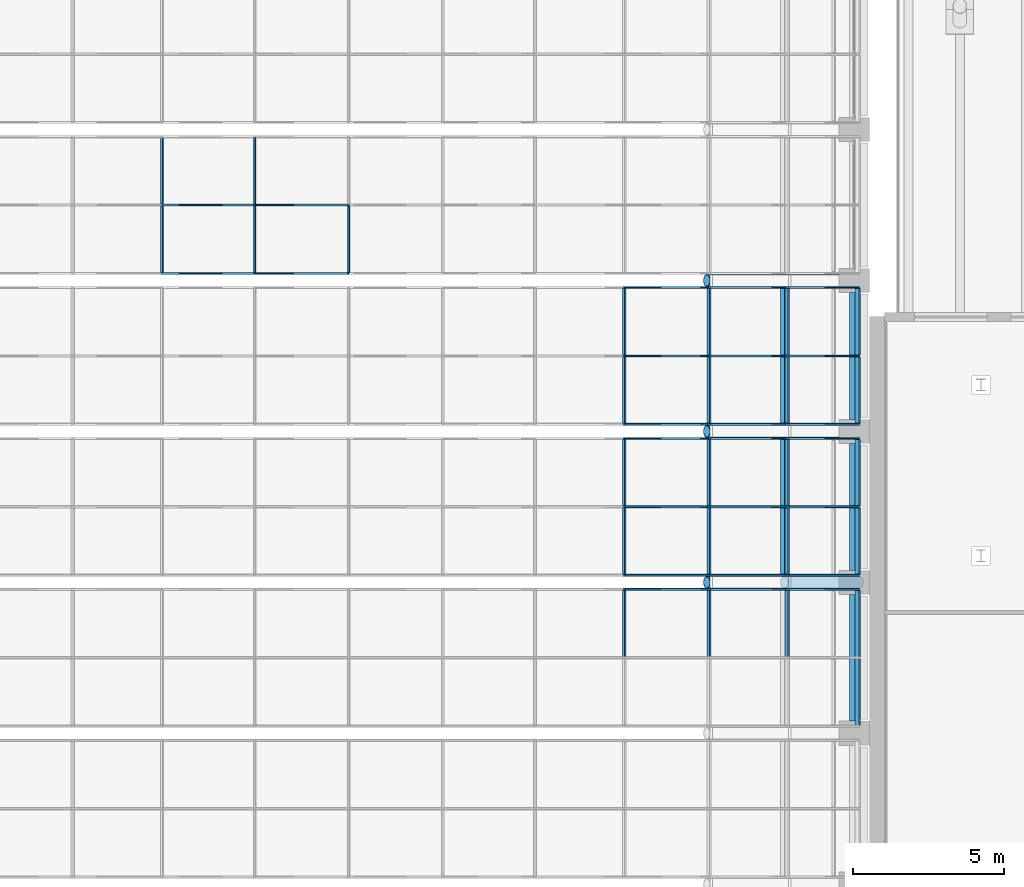
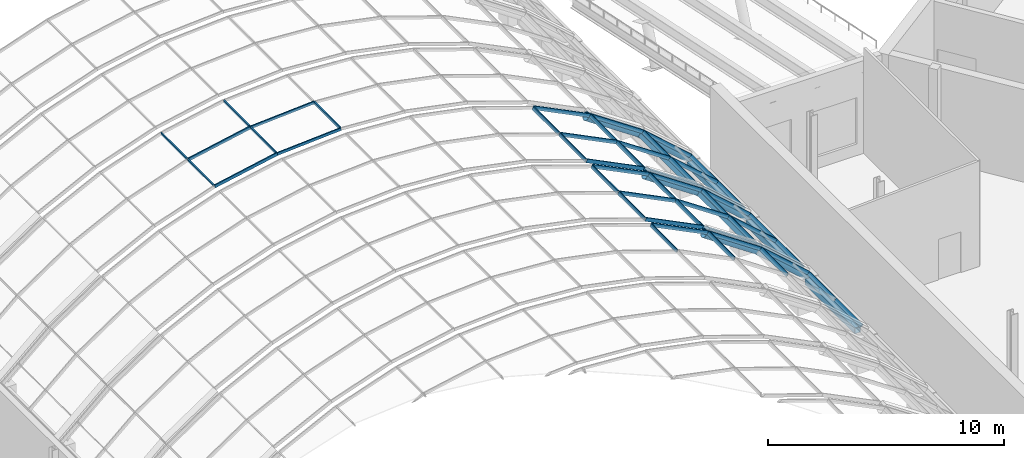
# One storey, part 82 of 182: 59 members, 3 beams, 4 elements without a shape of their own.
"""IFC4 building model written with IfcOpenShell, lengths in metres."""

from ifc_helpers import new_model, si_unit, direction, frame, origin, origin_2d, place, context, subcontext, project, spatial, rectangle, hollow_rectangle, hollow_circle, extrude, material, material_profile, profile_set, type_object, element, aggregate, save


model = new_model("IFC4")

# Units and contexts
model_context = context("Model", 3, precision=1e-05, world=origin(), true_north=direction((0.0, 1.0)))
body_context = subcontext(model_context, "Body", "Model", "MODEL_VIEW")
ifc_project = project(units=[si_unit("LENGTHUNIT", "METRE"), si_unit("AREAUNIT", "SQUARE_METRE"), si_unit("VOLUMEUNIT", "CUBIC_METRE"), si_unit("PLANEANGLEUNIT", "RADIAN"), si_unit("MASSUNIT", "GRAM", prefix="KILO")], contexts=[model_context])

# Site, building, storey
site_placement = place(None, origin())
site = spatial("IfcSite", under=ifc_project, at=site_placement, CompositionType="ELEMENT")
building_placement = place(site_placement, origin())
building = spatial("IfcBuilding", under=site, at=building_placement, Name="Okhra Congress Centre", CompositionType="ELEMENT")
storey_placement = place(building_placement, frame((0.0, 0.0, 7.199951171875)))
storey = spatial("IfcBuildingStorey", under=building, at=storey_placement, Name="L01", CompositionType="ELEMENT", Elevation=7.199951171875)

# Curtain wall, members
ifc_material_1 = material(Name="Aluminium frame with triple glazing", Category="aluminium")
curtain_wall_type = type_object("IfcCurtainWallType", Name="Glazed vault bay curtain wall", PredefinedType="NOTDEFINED", material=ifc_material_1)
curtain_wall_1_placement = place(storey_placement, origin())
curtain_wall_1 = element("IfcCurtainWall", 1, at=curtain_wall_1_placement, inside=storey, type_object=curtain_wall_type, Name="Vault glazing bay 26", PredefinedType="NOTDEFINED")
ifc_material_2 = material(Name="Aluminium alloy 6063", Category="aluminium")
ifc_material_profile_1 = material_profile(ifc_material_2, rectangle(XDim=0.06005859375, YDim=0.139892578125, at=origin_2d()), Name="AL 60x140")
ifc_profile_set_1 = profile_set([ifc_material_profile_1], Name="Aluminium alloy 6063")
member_type_1 = type_object("IfcMemberType", Name="Aluminium mullion 60x140", PredefinedType="MULLION", material=ifc_profile_set_1)
member_1_placement = place(storey_placement, frame((169.1337890625, 201.233154296875, 8.7392578125), z_axis=(0.997826129775, 0.0, 0.065901553385), x_axis=(0.0, 1.0, 0.0)))
member_1 = element("IfcMember", 2, at=member_1_placement, type_object=member_type_1, Name="Vault mullion 26.1.6", PredefinedType="MULLION", context=body_context, shape_type="SweptSolid", body=[
    extrude(rectangle(XDim=0.06005859375, YDim=0.139892578125, at=origin_2d()), origin(), (0.0, 0.0, 1.0), 3.123046875),
])
member_2_placement = place(storey_placement, frame((169.1337890625, 203.5, 8.7392578125), z_axis=(0.997826129775, 0.0, 0.065901553385), x_axis=(0.0, 1.0, 0.0)))
member_2 = element("IfcMember", 3, at=member_2_placement, type_object=member_type_1, Name="Vault mullion 26.2.6", PredefinedType="MULLION", context=body_context, shape_type="SweptSolid", body=[
    extrude(rectangle(XDim=0.06005859375, YDim=0.139892578125, at=origin_2d()), origin(), (0.0, 0.0, 1.0), 3.123046875),
])
ifc_material_profile_2 = material_profile(ifc_material_2, rectangle(XDim=0.06005859375, YDim=0.159912109375, at=origin_2d()), Name="AL 60x160")
ifc_profile_set_2 = profile_set([ifc_material_profile_2], Name="Aluminium alloy 6063")
member_type_2 = type_object("IfcMemberType", Name="Aluminium mullion 60x160", PredefinedType="MULLION", material=ifc_profile_set_2)
member_3_placement = place(storey_placement, frame((166.069091796875, 201.233154296875, 8.134765625), z_axis=(0.980484387086, 0.0, 0.196596965087), x_axis=(0.0, 1.0, 0.0)))
member_3 = element("IfcMember", 4, at=member_3_placement, type_object=member_type_2, Name="Vault mullion 26.1.5", PredefinedType="MULLION", context=body_context, shape_type="SweptSolid", body=[
    extrude(rectangle(XDim=0.06005859375, YDim=0.159912109375, at=origin_2d()), origin(), (0.0, 0.0, 1.0), 3.12451171875),
])
member_4_placement = place(storey_placement, frame((166.069091796875, 203.5, 8.134765625), z_axis=(0.980484387086, 0.0, 0.196596965087), x_axis=(0.0, 1.0, 0.0)))
member_4 = element("IfcMember", 5, at=member_4_placement, type_object=member_type_2, Name="Vault mullion 26.2.5", PredefinedType="MULLION", context=body_context, shape_type="SweptSolid", body=[
    extrude(rectangle(XDim=0.06005859375, YDim=0.159912109375, at=origin_2d()), origin(), (0.0, 0.0, 1.0), 3.12451171875),
])

curtain_wall_2_placement = place(storey_placement, origin())
curtain_wall_2 = element("IfcCurtainWall", 6, at=curtain_wall_2_placement, inside=storey, type_object=curtain_wall_type, Name="Vault glazing bay 23", PredefinedType="NOTDEFINED")
ifc_material_profile_3 = material_profile(ifc_material_2, rectangle(XDim=0.06005859375, YDim=0.179931640625, at=origin_2d()), Name="AL 60x180")
ifc_profile_set_3 = profile_set([ifc_material_profile_3], Name="Aluminium alloy 6063")
member_type_3 = type_object("IfcMemberType", Name="Aluminium mullion 60x180", PredefinedType="MULLION", material=ifc_profile_set_3)
member_5_placement = place(storey_placement, frame((181.390625, 190.766845703125, 7.1318359375), z_axis=(0.895253656313, 0.0, -0.445556832354), x_axis=(0.0, 1.0, 0.0)))
member_5 = element("IfcMember", 7, at=member_5_placement, type_object=member_type_3, Name="Vault mullion 23.3.10", PredefinedType="MULLION", context=body_context, shape_type="SweptSolid", body=[
    extrude(rectangle(XDim=0.06005859375, YDim=0.179931640625, at=origin_2d()), origin(), (0.0, 0.0, 1.0), 3.12548828125),
])
member_6_placement = place(storey_placement, frame((184.188720703125, 190.766845703125, 5.7392578125), z_axis=(0.828827846338, 0.0, -0.559503709671), x_axis=(0.0, 1.0, 0.0)))
member_6 = element("IfcMember", 8, at=member_6_placement, type_object=member_type_3, Name="Vault mullion 23.3.11", PredefinedType="MULLION", context=body_context, shape_type="SweptSolid", body=[
    extrude(rectangle(XDim=0.06005859375, YDim=0.179931640625, at=origin_2d()), origin(), (0.0, 0.0, 1.0), 3.12548828125),
])
member_7_placement = place(storey_placement, frame((186.779296875, 190.766845703125, 3.990478515625), z_axis=(0.748025229923, 0.0, -0.663670291183), x_axis=(0.0, 1.0, 0.0)))
member_7 = element("IfcMember", 9, at=member_7_placement, type_object=member_type_3, Name="Vault mullion 23.3.12", PredefinedType="MULLION", context=body_context, shape_type="SweptSolid", body=[
    extrude(rectangle(XDim=0.06005859375, YDim=0.179931640625, at=origin_2d()), origin(), (0.0, 0.0, 1.0), 3.125732421875),
])

curtain_wall_3_placement = place(storey_placement, origin())
curtain_wall_3 = element("IfcCurtainWall", 10, at=curtain_wall_3_placement, inside=storey, type_object=curtain_wall_type, Name="Vault glazing bay 24", PredefinedType="NOTDEFINED")
member_8_placement = place(storey_placement, frame((181.390625, 191.233154296875, 7.1318359375), z_axis=(0.895253656313, 0.0, -0.445556832354), x_axis=(0.0, 1.0, 0.0)))
member_8 = element("IfcMember", 11, at=member_8_placement, type_object=member_type_3, Name="Vault mullion 24.1.10", PredefinedType="MULLION", context=body_context, shape_type="SweptSolid", body=[
    extrude(rectangle(XDim=0.06005859375, YDim=0.179931640625, at=origin_2d()), origin(), (0.0, 0.0, 1.0), 3.12548828125),
])
member_9_placement = place(storey_placement, frame((184.188720703125, 191.233154296875, 5.7392578125), z_axis=(0.828827846338, 0.0, -0.559503709671), x_axis=(0.0, 1.0, 0.0)))
member_9 = element("IfcMember", 12, at=member_9_placement, type_object=member_type_3, Name="Vault mullion 24.1.11", PredefinedType="MULLION", context=body_context, shape_type="SweptSolid", body=[
    extrude(rectangle(XDim=0.06005859375, YDim=0.179931640625, at=origin_2d()), origin(), (0.0, 0.0, 1.0), 3.12548828125),
])
member_10_placement = place(storey_placement, frame((186.779296875, 191.233154296875, 3.990478515625), z_axis=(0.748025229923, 0.0, -0.663670291183), x_axis=(0.0, 1.0, 0.0)))
member_10 = element("IfcMember", 13, at=member_10_placement, type_object=member_type_3, Name="Vault mullion 24.1.12", PredefinedType="MULLION", context=body_context, shape_type="SweptSolid", body=[
    extrude(rectangle(XDim=0.06005859375, YDim=0.179931640625, at=origin_2d()), origin(), (0.0, 0.0, 1.0), 3.125732421875),
])
member_11_placement = place(storey_placement, frame((181.390625, 193.5, 7.1318359375), z_axis=(0.895253656313, 0.0, -0.445556832354), x_axis=(0.0, 1.0, 0.0)))
member_11 = element("IfcMember", 14, at=member_11_placement, type_object=member_type_3, Name="Vault mullion 24.2.10", PredefinedType="MULLION", context=body_context, shape_type="SweptSolid", body=[
    extrude(rectangle(XDim=0.06005859375, YDim=0.179931640625, at=origin_2d()), origin(), (0.0, 0.0, 1.0), 3.12548828125),
])
member_12_placement = place(storey_placement, frame((184.188720703125, 193.5, 5.7392578125), z_axis=(0.828827846338, 0.0, -0.559503709671), x_axis=(0.0, 1.0, 0.0)))
member_12 = element("IfcMember", 15, at=member_12_placement, type_object=member_type_3, Name="Vault mullion 24.2.11", PredefinedType="MULLION", context=body_context, shape_type="SweptSolid", body=[
    extrude(rectangle(XDim=0.06005859375, YDim=0.179931640625, at=origin_2d()), origin(), (0.0, 0.0, 1.0), 3.12548828125),
])
member_13_placement = place(storey_placement, frame((186.779296875, 193.5, 3.990478515625), z_axis=(0.748025229923, 0.0, -0.663670291183), x_axis=(0.0, 1.0, 0.0)))
member_13 = element("IfcMember", 16, at=member_13_placement, type_object=member_type_3, Name="Vault mullion 24.2.12", PredefinedType="MULLION", context=body_context, shape_type="SweptSolid", body=[
    extrude(rectangle(XDim=0.06005859375, YDim=0.179931640625, at=origin_2d()), origin(), (0.0, 0.0, 1.0), 3.125732421875),
])
member_14_placement = place(storey_placement, frame((181.390625, 195.766845703125, 7.1318359375), z_axis=(0.895253656313, 0.0, -0.445556832354), x_axis=(0.0, 1.0, 0.0)))
member_14 = element("IfcMember", 17, at=member_14_placement, type_object=member_type_3, Name="Vault mullion 24.3.10", PredefinedType="MULLION", context=body_context, shape_type="SweptSolid", body=[
    extrude(rectangle(XDim=0.06005859375, YDim=0.179931640625, at=origin_2d()), origin(), (0.0, 0.0, 1.0), 3.12548828125),
])
member_15_placement = place(storey_placement, frame((184.188720703125, 195.766845703125, 5.7392578125), z_axis=(0.828827846338, 0.0, -0.559503709671), x_axis=(0.0, 1.0, 0.0)))
member_15 = element("IfcMember", 18, at=member_15_placement, type_object=member_type_3, Name="Vault mullion 24.3.11", PredefinedType="MULLION", context=body_context, shape_type="SweptSolid", body=[
    extrude(rectangle(XDim=0.06005859375, YDim=0.179931640625, at=origin_2d()), origin(), (0.0, 0.0, 1.0), 3.12548828125),
])
member_16_placement = place(storey_placement, frame((186.779296875, 195.766845703125, 3.990478515625), z_axis=(0.748025229923, 0.0, -0.663670291183), x_axis=(0.0, 1.0, 0.0)))
member_16 = element("IfcMember", 19, at=member_16_placement, type_object=member_type_3, Name="Vault mullion 24.3.12", PredefinedType="MULLION", context=body_context, shape_type="SweptSolid", body=[
    extrude(rectangle(XDim=0.06005859375, YDim=0.179931640625, at=origin_2d()), origin(), (0.0, 0.0, 1.0), 3.125732421875),
])

curtain_wall_4_placement = place(storey_placement, origin())
curtain_wall_4 = element("IfcCurtainWall", 20, at=curtain_wall_4_placement, inside=storey, type_object=curtain_wall_type, Name="Vault glazing bay 25", PredefinedType="NOTDEFINED")
member_17_placement = place(storey_placement, frame((181.390625, 196.233154296875, 7.1318359375), z_axis=(0.895253656313, 0.0, -0.445556832354), x_axis=(0.0, 1.0, 0.0)))
member_17 = element("IfcMember", 21, at=member_17_placement, type_object=member_type_3, Name="Vault mullion 25.1.10", PredefinedType="MULLION", context=body_context, shape_type="SweptSolid", body=[
    extrude(rectangle(XDim=0.06005859375, YDim=0.179931640625, at=origin_2d()), origin(), (0.0, 0.0, 1.0), 3.12548828125),
])
member_18_placement = place(storey_placement, frame((184.188720703125, 196.233154296875, 5.7392578125), z_axis=(0.828827846338, 0.0, -0.559503709671), x_axis=(0.0, 1.0, 0.0)))
member_18 = element("IfcMember", 22, at=member_18_placement, type_object=member_type_3, Name="Vault mullion 25.1.11", PredefinedType="MULLION", context=body_context, shape_type="SweptSolid", body=[
    extrude(rectangle(XDim=0.06005859375, YDim=0.179931640625, at=origin_2d()), origin(), (0.0, 0.0, 1.0), 3.12548828125),
])
member_19_placement = place(storey_placement, frame((186.779296875, 196.233154296875, 3.990478515625), z_axis=(0.748025229923, 0.0, -0.663670291183), x_axis=(0.0, 1.0, 0.0)))
member_19 = element("IfcMember", 23, at=member_19_placement, type_object=member_type_3, Name="Vault mullion 25.1.12", PredefinedType="MULLION", context=body_context, shape_type="SweptSolid", body=[
    extrude(rectangle(XDim=0.06005859375, YDim=0.179931640625, at=origin_2d()), origin(), (0.0, 0.0, 1.0), 3.125732421875),
])
member_20_placement = place(storey_placement, frame((181.390625, 198.5, 7.1318359375), z_axis=(0.895253656313, 0.0, -0.445556832354), x_axis=(0.0, 1.0, 0.0)))
member_20 = element("IfcMember", 24, at=member_20_placement, type_object=member_type_3, Name="Vault mullion 25.2.10", PredefinedType="MULLION", context=body_context, shape_type="SweptSolid", body=[
    extrude(rectangle(XDim=0.06005859375, YDim=0.179931640625, at=origin_2d()), origin(), (0.0, 0.0, 1.0), 3.12548828125),
])
member_21_placement = place(storey_placement, frame((184.188720703125, 198.5, 5.7392578125), z_axis=(0.828827846338, 0.0, -0.559503709671), x_axis=(0.0, 1.0, 0.0)))
member_21 = element("IfcMember", 25, at=member_21_placement, type_object=member_type_3, Name="Vault mullion 25.2.11", PredefinedType="MULLION", context=body_context, shape_type="SweptSolid", body=[
    extrude(rectangle(XDim=0.06005859375, YDim=0.179931640625, at=origin_2d()), origin(), (0.0, 0.0, 1.0), 3.12548828125),
])
member_22_placement = place(storey_placement, frame((186.779296875, 198.5, 3.990478515625), z_axis=(0.748025229923, 0.0, -0.663670291183), x_axis=(0.0, 1.0, 0.0)))
member_22 = element("IfcMember", 26, at=member_22_placement, type_object=member_type_3, Name="Vault mullion 25.2.12", PredefinedType="MULLION", context=body_context, shape_type="SweptSolid", body=[
    extrude(rectangle(XDim=0.06005859375, YDim=0.179931640625, at=origin_2d()), origin(), (0.0, 0.0, 1.0), 3.125732421875),
])
member_23_placement = place(storey_placement, frame((181.390625, 200.766845703125, 7.1318359375), z_axis=(0.895253656313, 0.0, -0.445556832354), x_axis=(0.0, 1.0, 0.0)))
member_23 = element("IfcMember", 27, at=member_23_placement, type_object=member_type_3, Name="Vault mullion 25.3.10", PredefinedType="MULLION", context=body_context, shape_type="SweptSolid", body=[
    extrude(rectangle(XDim=0.06005859375, YDim=0.179931640625, at=origin_2d()), origin(), (0.0, 0.0, 1.0), 3.12548828125),
])
member_24_placement = place(storey_placement, frame((184.188720703125, 200.766845703125, 5.7392578125), z_axis=(0.828827846338, 0.0, -0.559503709671), x_axis=(0.0, 1.0, 0.0)))
member_24 = element("IfcMember", 28, at=member_24_placement, type_object=member_type_3, Name="Vault mullion 25.3.11", PredefinedType="MULLION", context=body_context, shape_type="SweptSolid", body=[
    extrude(rectangle(XDim=0.06005859375, YDim=0.179931640625, at=origin_2d()), origin(), (0.0, 0.0, 1.0), 3.12548828125),
])
member_25_placement = place(storey_placement, frame((186.779296875, 200.766845703125, 3.990478515625), z_axis=(0.748025229923, 0.0, -0.663670291183), x_axis=(0.0, 1.0, 0.0)))
member_25 = element("IfcMember", 29, at=member_25_placement, type_object=member_type_3, Name="Vault mullion 25.3.12", PredefinedType="MULLION", context=body_context, shape_type="SweptSolid", body=[
    extrude(rectangle(XDim=0.06005859375, YDim=0.179931640625, at=origin_2d()), origin(), (0.0, 0.0, 1.0), 3.125732421875),
])

# Member
ifc_material_profile_4 = material_profile(ifc_material_2, rectangle(XDim=0.06005859375, YDim=0.139892578125, at=origin_2d()), Name="AL 60x140 transom")
ifc_profile_set_4 = profile_set([ifc_material_profile_4], Name="Aluminium alloy 6063")
member_type_4 = type_object("IfcMemberType", Name="Aluminium transom 60x140", PredefinedType="USERDEFINED", material=ifc_profile_set_4)
member_26_placement = place(storey_placement, frame((169.1337890625, 201.26318359375, 8.7392578125), z_axis=(0.0, 1.0, 0.0), x_axis=(-0.991307202734, 0.0, -0.131567586459)))
member_26 = element("IfcMember", 30, at=member_26_placement, type_object=member_type_4, Name="Vault transom 26.1.6", ObjectType="TRANSOM", PredefinedType="USERDEFINED", context=body_context, shape_type="SweptSolid", body=[
    extrude(rectangle(XDim=0.06005859375, YDim=0.139892578125, at=origin_2d()), origin(), (0.0, 0.0, 1.0), 2.206787109375),
])

member_27_placement = place(storey_placement, frame((172.25, 201.26318359375, 8.945068359375), z_axis=(0.0, 1.0, 0.0), x_axis=(-1.0, 0.0, 0.0)))
member_27 = element("IfcMember", 31, at=member_27_placement, type_object=member_type_4, Name="Vault transom 26.1.7", ObjectType="TRANSOM", PredefinedType="USERDEFINED", context=body_context, shape_type="SweptSolid", body=[
    extrude(rectangle(XDim=0.06005859375, YDim=0.139892578125, at=origin_2d()), origin(), (0.0, 0.0, 1.0), 2.206787109375),
])

member_28_placement = place(storey_placement, frame((169.1337890625, 203.530029296875, 8.7392578125), z_axis=(0.0, 1.0, 0.0), x_axis=(-0.991307202734, 0.0, -0.131567586459)))
member_28 = element("IfcMember", 32, at=member_28_placement, type_object=member_type_4, Name="Vault transom 26.2.6", ObjectType="TRANSOM", PredefinedType="USERDEFINED", context=body_context, shape_type="SweptSolid", body=[
    extrude(rectangle(XDim=0.06005859375, YDim=0.139892578125, at=origin_2d()), origin(), (0.0, 0.0, 1.0), 2.206787109375),
])

ifc_material_profile_5 = material_profile(ifc_material_2, rectangle(XDim=0.06005859375, YDim=0.159912109375, at=origin_2d()), Name="AL 60x160 transom")
ifc_profile_set_5 = profile_set([ifc_material_profile_5], Name="Aluminium alloy 6063")
member_type_5 = type_object("IfcMemberType", Name="Aluminium transom 60x160", PredefinedType="USERDEFINED", material=ifc_profile_set_5)
member_29_placement = place(storey_placement, frame((181.38671875, 188.530029296875, 7.12255859375), z_axis=(0.0, 1.0, 0.0), x_axis=(-0.922668973833, 0.0, 0.38559300399)))
member_29 = element("IfcMember", 33, at=member_29_placement, type_object=member_type_5, Name="Vault transom 23.2.10", ObjectType="TRANSOM", PredefinedType="USERDEFINED", context=body_context, shape_type="SweptSolid", body=[
    extrude(rectangle(XDim=0.06005859375, YDim=0.159912109375, at=origin_2d()), origin(), (0.0, 0.0, 1.0), 2.206787109375),
])

member_30_placement = place(storey_placement, frame((181.38671875, 191.26318359375, 7.12255859375), z_axis=(0.0, 1.0, 0.0), x_axis=(-0.922668973833, 0.0, 0.38559300399)))
member_30 = element("IfcMember", 34, at=member_30_placement, type_object=member_type_5, Name="Vault transom 24.1.10", ObjectType="TRANSOM", PredefinedType="USERDEFINED", context=body_context, shape_type="SweptSolid", body=[
    extrude(rectangle(XDim=0.06005859375, YDim=0.159912109375, at=origin_2d()), origin(), (0.0, 0.0, 1.0), 2.206787109375),
])

member_31_placement = place(storey_placement, frame((181.38671875, 193.530029296875, 7.12255859375), z_axis=(0.0, 1.0, 0.0), x_axis=(-0.922668973833, 0.0, 0.38559300399)))
member_31 = element("IfcMember", 35, at=member_31_placement, type_object=member_type_5, Name="Vault transom 24.2.10", ObjectType="TRANSOM", PredefinedType="USERDEFINED", context=body_context, shape_type="SweptSolid", body=[
    extrude(rectangle(XDim=0.06005859375, YDim=0.159912109375, at=origin_2d()), origin(), (0.0, 0.0, 1.0), 2.206787109375),
])

member_32_placement = place(storey_placement, frame((181.38671875, 196.26318359375, 7.12255859375), z_axis=(0.0, 1.0, 0.0), x_axis=(-0.922668973833, 0.0, 0.38559300399)))
member_32 = element("IfcMember", 36, at=member_32_placement, type_object=member_type_5, Name="Vault transom 25.1.10", ObjectType="TRANSOM", PredefinedType="USERDEFINED", context=body_context, shape_type="SweptSolid", body=[
    extrude(rectangle(XDim=0.06005859375, YDim=0.159912109375, at=origin_2d()), origin(), (0.0, 0.0, 1.0), 2.206787109375),
])

member_33_placement = place(storey_placement, frame((181.38671875, 198.530029296875, 7.12255859375), z_axis=(0.0, 1.0, 0.0), x_axis=(-0.922668973833, 0.0, 0.38559300399)))
member_33 = element("IfcMember", 37, at=member_33_placement, type_object=member_type_5, Name="Vault transom 25.2.10", ObjectType="TRANSOM", PredefinedType="USERDEFINED", context=body_context, shape_type="SweptSolid", body=[
    extrude(rectangle(XDim=0.06005859375, YDim=0.159912109375, at=origin_2d()), origin(), (0.0, 0.0, 1.0), 2.206787109375),
])

member_34_placement = place(storey_placement, frame((166.069091796875, 201.26318359375, 8.134765625), z_axis=(0.0, 1.0, 0.0), x_axis=(-0.965379940391, 0.0, -0.260847792191)))
member_34 = element("IfcMember", 38, at=member_34_placement, type_object=member_type_5, Name="Vault transom 26.1.5", ObjectType="TRANSOM", PredefinedType="USERDEFINED", context=body_context, shape_type="SweptSolid", body=[
    extrude(rectangle(XDim=0.06005859375, YDim=0.159912109375, at=origin_2d()), origin(), (0.0, 0.0, 1.0), 2.206787109375),
])

member_35_placement = place(storey_placement, frame((166.069091796875, 203.530029296875, 8.134765625), z_axis=(0.0, 1.0, 0.0), x_axis=(-0.965379940391, 0.0, -0.260847792191)))
member_35 = element("IfcMember", 39, at=member_35_placement, type_object=member_type_5, Name="Vault transom 26.2.5", ObjectType="TRANSOM", PredefinedType="USERDEFINED", context=body_context, shape_type="SweptSolid", body=[
    extrude(rectangle(XDim=0.06005859375, YDim=0.159912109375, at=origin_2d()), origin(), (0.0, 0.0, 1.0), 2.206787109375),
])

aggregate(curtain_wall_1, [member_3, member_1, member_4, member_2, member_34, member_26, member_27, member_35, member_28])

ifc_material_profile_6 = material_profile(ifc_material_2, rectangle(XDim=0.06005859375, YDim=0.179931640625, at=origin_2d()), Name="AL 60x180 transom")
ifc_profile_set_6 = profile_set([ifc_material_profile_6], Name="Aluminium alloy 6063")
member_type_6 = type_object("IfcMemberType", Name="Aluminium transom 60x180", PredefinedType="USERDEFINED", material=ifc_profile_set_6)
member_36_placement = place(storey_placement, frame((189.117431640625, 186.26318359375, 1.916015625), z_axis=(0.0, 1.0, 0.0), x_axis=(-0.702636070549, 0.0, 0.711549402616)))
member_36 = element("IfcMember", 40, at=member_36_placement, type_object=member_type_6, Name="Vault transom 23.1.13", ObjectType="TRANSOM", PredefinedType="USERDEFINED", context=body_context, shape_type="SweptSolid", body=[
    extrude(rectangle(XDim=0.06005859375, YDim=0.179931640625, at=origin_2d()), origin(), (0.0, 0.0, 1.0), 2.206787109375),
])

member_37_placement = place(storey_placement, frame((184.188720703125, 188.530029296875, 5.7392578125), z_axis=(0.0, 1.0, 0.0), x_axis=(-0.86391685861, 0.0, 0.503634452167)))
member_37 = element("IfcMember", 41, at=member_37_placement, type_object=member_type_6, Name="Vault transom 23.2.11", ObjectType="TRANSOM", PredefinedType="USERDEFINED", context=body_context, shape_type="SweptSolid", body=[
    extrude(rectangle(XDim=0.06005859375, YDim=0.179931640625, at=origin_2d()), origin(), (0.0, 0.0, 1.0), 2.206787109375),
])

member_38_placement = place(storey_placement, frame((186.779296875, 188.530029296875, 3.990478515625), z_axis=(0.0, 1.0, 0.0), x_axis=(-0.790145035185, 0.0, 0.612919915954)))
member_38 = element("IfcMember", 42, at=member_38_placement, type_object=member_type_6, Name="Vault transom 23.2.12", ObjectType="TRANSOM", PredefinedType="USERDEFINED", context=body_context, shape_type="SweptSolid", body=[
    extrude(rectangle(XDim=0.06005859375, YDim=0.179931640625, at=origin_2d()), origin(), (0.0, 0.0, 1.0), 2.206787109375),
])

member_39_placement = place(storey_placement, frame((189.117431640625, 188.530029296875, 1.916015625), z_axis=(0.0, 1.0, 0.0), x_axis=(-0.702636070549, 0.0, 0.711549402616)))
member_39 = element("IfcMember", 43, at=member_39_placement, type_object=member_type_6, Name="Vault transom 23.2.13", ObjectType="TRANSOM", PredefinedType="USERDEFINED", context=body_context, shape_type="SweptSolid", body=[
    extrude(rectangle(XDim=0.06005859375, YDim=0.179931640625, at=origin_2d()), origin(), (0.0, 0.0, 1.0), 2.206787109375),
])

aggregate(curtain_wall_2, [member_5, member_6, member_7, member_36, member_29, member_37, member_38, member_39])

member_40_placement = place(storey_placement, frame((184.188720703125, 191.26318359375, 5.7392578125), z_axis=(0.0, 1.0, 0.0), x_axis=(-0.86391685861, 0.0, 0.503634452167)))
member_40 = element("IfcMember", 44, at=member_40_placement, type_object=member_type_6, Name="Vault transom 24.1.11", ObjectType="TRANSOM", PredefinedType="USERDEFINED", context=body_context, shape_type="SweptSolid", body=[
    extrude(rectangle(XDim=0.06005859375, YDim=0.179931640625, at=origin_2d()), origin(), (0.0, 0.0, 1.0), 2.206787109375),
])

member_41_placement = place(storey_placement, frame((186.779296875, 191.26318359375, 3.990478515625), z_axis=(0.0, 1.0, 0.0), x_axis=(-0.790145035185, 0.0, 0.612919915954)))
member_41 = element("IfcMember", 45, at=member_41_placement, type_object=member_type_6, Name="Vault transom 24.1.12", ObjectType="TRANSOM", PredefinedType="USERDEFINED", context=body_context, shape_type="SweptSolid", body=[
    extrude(rectangle(XDim=0.06005859375, YDim=0.179931640625, at=origin_2d()), origin(), (0.0, 0.0, 1.0), 2.206787109375),
])

member_42_placement = place(storey_placement, frame((189.117431640625, 191.26318359375, 1.916015625), z_axis=(0.0, 1.0, 0.0), x_axis=(-0.702636070549, 0.0, 0.711549402616)))
member_42 = element("IfcMember", 46, at=member_42_placement, type_object=member_type_6, Name="Vault transom 24.1.13", ObjectType="TRANSOM", PredefinedType="USERDEFINED", context=body_context, shape_type="SweptSolid", body=[
    extrude(rectangle(XDim=0.06005859375, YDim=0.179931640625, at=origin_2d()), origin(), (0.0, 0.0, 1.0), 2.206787109375),
])

member_43_placement = place(storey_placement, frame((184.188720703125, 193.530029296875, 5.7392578125), z_axis=(0.0, 1.0, 0.0), x_axis=(-0.86391685861, 0.0, 0.503634452167)))
member_43 = element("IfcMember", 47, at=member_43_placement, type_object=member_type_6, Name="Vault transom 24.2.11", ObjectType="TRANSOM", PredefinedType="USERDEFINED", context=body_context, shape_type="SweptSolid", body=[
    extrude(rectangle(XDim=0.06005859375, YDim=0.179931640625, at=origin_2d()), origin(), (0.0, 0.0, 1.0), 2.206787109375),
])

member_44_placement = place(storey_placement, frame((186.779296875, 193.530029296875, 3.990478515625), z_axis=(0.0, 1.0, 0.0), x_axis=(-0.790145035185, 0.0, 0.612919915954)))
member_44 = element("IfcMember", 48, at=member_44_placement, type_object=member_type_6, Name="Vault transom 24.2.12", ObjectType="TRANSOM", PredefinedType="USERDEFINED", context=body_context, shape_type="SweptSolid", body=[
    extrude(rectangle(XDim=0.06005859375, YDim=0.179931640625, at=origin_2d()), origin(), (0.0, 0.0, 1.0), 2.206787109375),
])

member_45_placement = place(storey_placement, frame((189.117431640625, 193.530029296875, 1.916015625), z_axis=(0.0, 1.0, 0.0), x_axis=(-0.702636070549, 0.0, 0.711549402616)))
member_45 = element("IfcMember", 49, at=member_45_placement, type_object=member_type_6, Name="Vault transom 24.2.13", ObjectType="TRANSOM", PredefinedType="USERDEFINED", context=body_context, shape_type="SweptSolid", body=[
    extrude(rectangle(XDim=0.06005859375, YDim=0.179931640625, at=origin_2d()), origin(), (0.0, 0.0, 1.0), 2.206787109375),
])

aggregate(curtain_wall_3, [member_8, member_9, member_10, member_11, member_12, member_13, member_14, member_15, member_16, member_30, member_40, member_41, member_42, member_31, member_43, member_44, member_45])

member_46_placement = place(storey_placement, frame((184.188720703125, 196.26318359375, 5.7392578125), z_axis=(0.0, 1.0, 0.0), x_axis=(-0.86391685861, 0.0, 0.503634452167)))
member_46 = element("IfcMember", 50, at=member_46_placement, type_object=member_type_6, Name="Vault transom 25.1.11", ObjectType="TRANSOM", PredefinedType="USERDEFINED", context=body_context, shape_type="SweptSolid", body=[
    extrude(rectangle(XDim=0.06005859375, YDim=0.179931640625, at=origin_2d()), origin(), (0.0, 0.0, 1.0), 2.206787109375),
])

member_47_placement = place(storey_placement, frame((186.779296875, 196.26318359375, 3.990478515625), z_axis=(0.0, 1.0, 0.0), x_axis=(-0.790145035185, 0.0, 0.612919915954)))
member_47 = element("IfcMember", 51, at=member_47_placement, type_object=member_type_6, Name="Vault transom 25.1.12", ObjectType="TRANSOM", PredefinedType="USERDEFINED", context=body_context, shape_type="SweptSolid", body=[
    extrude(rectangle(XDim=0.06005859375, YDim=0.179931640625, at=origin_2d()), origin(), (0.0, 0.0, 1.0), 2.206787109375),
])

member_48_placement = place(storey_placement, frame((189.117431640625, 196.26318359375, 1.916015625), z_axis=(0.0, 1.0, 0.0), x_axis=(-0.702636070549, 0.0, 0.711549402616)))
member_48 = element("IfcMember", 52, at=member_48_placement, type_object=member_type_6, Name="Vault transom 25.1.13", ObjectType="TRANSOM", PredefinedType="USERDEFINED", context=body_context, shape_type="SweptSolid", body=[
    extrude(rectangle(XDim=0.06005859375, YDim=0.179931640625, at=origin_2d()), origin(), (0.0, 0.0, 1.0), 2.206787109375),
])

member_49_placement = place(storey_placement, frame((184.188720703125, 198.530029296875, 5.7392578125), z_axis=(0.0, 1.0, 0.0), x_axis=(-0.86391685861, 0.0, 0.503634452167)))
member_49 = element("IfcMember", 53, at=member_49_placement, type_object=member_type_6, Name="Vault transom 25.2.11", ObjectType="TRANSOM", PredefinedType="USERDEFINED", context=body_context, shape_type="SweptSolid", body=[
    extrude(rectangle(XDim=0.06005859375, YDim=0.179931640625, at=origin_2d()), origin(), (0.0, 0.0, 1.0), 2.206787109375),
])

member_50_placement = place(storey_placement, frame((186.779296875, 198.530029296875, 3.990478515625), z_axis=(0.0, 1.0, 0.0), x_axis=(-0.790145035185, 0.0, 0.612919915954)))
member_50 = element("IfcMember", 54, at=member_50_placement, type_object=member_type_6, Name="Vault transom 25.2.12", ObjectType="TRANSOM", PredefinedType="USERDEFINED", context=body_context, shape_type="SweptSolid", body=[
    extrude(rectangle(XDim=0.06005859375, YDim=0.179931640625, at=origin_2d()), origin(), (0.0, 0.0, 1.0), 2.206787109375),
])

member_51_placement = place(storey_placement, frame((189.117431640625, 198.530029296875, 1.916015625), z_axis=(0.0, 1.0, 0.0), x_axis=(-0.702636070549, 0.0, 0.711549402616)))
member_51 = element("IfcMember", 55, at=member_51_placement, type_object=member_type_6, Name="Vault transom 25.2.13", ObjectType="TRANSOM", PredefinedType="USERDEFINED", context=body_context, shape_type="SweptSolid", body=[
    extrude(rectangle(XDim=0.06005859375, YDim=0.179931640625, at=origin_2d()), origin(), (0.0, 0.0, 1.0), 2.206787109375),
])

aggregate(curtain_wall_4, [member_17, member_18, member_19, member_20, member_21, member_22, member_23, member_24, member_25, member_32, member_46, member_47, member_48, member_33, member_49, member_50, member_51])

# Beams
ifc_material_3 = material(Name="Steel S355J2", Category="steel")
ifc_material_profile_7 = material_profile(ifc_material_3, hollow_rectangle(XDim=0.300048828125, YDim=0.300048828125, WallThickness=0.012451171875, at=origin_2d()), Name="RHS 300x300x12.5")
ifc_profile_set_7 = profile_set([ifc_material_profile_7], Name="Steel S355J2")
beam_type = type_object("IfcBeamType", Name="Steel eaves beam RHS 300x300x12.5", PredefinedType="BEAM", material=ifc_profile_set_7)
for number, where, z_axis, x_axis, name in (
    (56, (189.0, 186.39990234375, 1.650146484375), (0.0, 1.0, 0.0), (-1.0, 0.0, 0.0), "Eaves beam E23"),
    (57, (189.0, 191.39990234375, 1.650146484375), (0.0, 1.0, 0.0), (-1.0, 0.0, 0.0), "Eaves beam E24"),
    (58, (189.0, 196.39990234375, 1.650146484375), (0.0, 1.0, 0.0), (-1.0, 0.0, 0.0), "Eaves beam E25"),
):
    element("IfcBeam", number, at=place(storey_placement, frame(where, z_axis=z_axis, x_axis=x_axis)), inside=storey, type_object=beam_type, Name=name, PredefinedType="BEAM", context=body_context, shape_type="SweptSolid", body=[
        extrude(hollow_rectangle(XDim=0.300048828125, YDim=0.300048828125, WallThickness=0.012451171875, at=origin_2d()), origin(), (0.0, 0.0, 1.0), 4.2001953125),
    ])

# Members
ifc_material_profile_8 = material_profile(ifc_material_3, hollow_rectangle(XDim=0.10009765625, YDim=0.199951171875, WallThickness=0.008056640625, at=origin_2d()), Name="RHS 200x100x8")
ifc_profile_set_8 = profile_set([ifc_material_profile_8], Name="Steel S355J2")
member_type_7 = type_object("IfcMemberType", Name="Steel purlin RHS 200x100x8", PredefinedType="PURLIN", material=ifc_profile_set_8)
for number, where, z_axis, x_axis, name in (
    (59, (186.662841796875, 191.203125, 3.84033203125), (0.0, 1.0, 0.0), (-0.790145035185, 0.0, 0.612919915954), "Vault purlin 24.11"),
    (60, (186.662841796875, 196.203125, 3.84033203125), (0.0, 1.0, 0.0), (-0.790145035185, 0.0, 0.612919915954), "Vault purlin 25.11"),
):
    element("IfcMember", number, at=place(storey_placement, frame(where, z_axis=z_axis, x_axis=x_axis)), inside=storey, type_object=member_type_7, Name=name, PredefinedType="PURLIN", context=body_context, shape_type="SweptSolid", body=[
        extrude(hollow_rectangle(XDim=0.10009765625, YDim=0.199951171875, WallThickness=0.008056640625, at=origin_2d()), origin(), (0.0, 0.0, 1.0), 4.59375),
    ])
ifc_material_profile_9 = material_profile(ifc_material_3, hollow_circle(Radius=0.203125, WallThickness=0.01611328125, at=origin_2d()), Name="CHS 406.4x16")
ifc_profile_set_9 = profile_set([ifc_material_profile_9], Name="Steel S355J2")
member_type_8 = type_object("IfcMemberType", Name="Tubular steel arch rib CHS 406x16", PredefinedType="USERDEFINED", material=ifc_profile_set_9)
member_52_placement = place(storey_placement, frame((184.116943359375, 191.0, 5.589111328125), z_axis=(0.82882567543, 0.0, -0.559506925558), x_axis=(0.0, 1.0, 0.0)))
element("IfcMember", 61, at=member_52_placement, inside=storey, type_object=member_type_8, Name="Arch rib 24.11", ObjectType="Arch rib", PredefinedType="USERDEFINED", context=body_context, shape_type="SweptSolid", body=[
    extrude(hollow_circle(Radius=0.203125, WallThickness=0.01611328125, at=origin_2d()), origin(), (0.0, 0.0, 1.0), 3.07666015625),
])
member_53_placement = place(storey_placement, frame((186.6884765625, 191.0, 3.85107421875), z_axis=(0.74799336374, 0.0, -0.663706205938), x_axis=(0.0, 1.0, 0.0)))
element("IfcMember", 62, at=member_53_placement, inside=storey, type_object=member_type_8, Name="Arch rib 24.12", ObjectType="Arch rib", PredefinedType="USERDEFINED", context=body_context, shape_type="SweptSolid", body=[
    extrude(hollow_circle(Radius=0.203125, WallThickness=0.01611328125, at=origin_2d()), origin(), (0.0, 0.0, 1.0), 3.3193359375),
])
member_54_placement = place(storey_placement, frame((184.116943359375, 196.0, 5.589111328125), z_axis=(0.82882567543, 0.0, -0.559506925558), x_axis=(0.0, 1.0, 0.0)))
element("IfcMember", 63, at=member_54_placement, inside=storey, type_object=member_type_8, Name="Arch rib 25.11", ObjectType="Arch rib", PredefinedType="USERDEFINED", context=body_context, shape_type="SweptSolid", body=[
    extrude(hollow_circle(Radius=0.203125, WallThickness=0.01611328125, at=origin_2d()), origin(), (0.0, 0.0, 1.0), 3.07666015625),
])
member_55_placement = place(storey_placement, frame((186.6884765625, 196.0, 3.85107421875), z_axis=(0.74799336374, 0.0, -0.663706205938), x_axis=(0.0, 1.0, 0.0)))
element("IfcMember", 64, at=member_55_placement, inside=storey, type_object=member_type_8, Name="Arch rib 25.12", ObjectType="Arch rib", PredefinedType="USERDEFINED", context=body_context, shape_type="SweptSolid", body=[
    extrude(hollow_circle(Radius=0.203125, WallThickness=0.01611328125, at=origin_2d()), origin(), (0.0, 0.0, 1.0), 3.3193359375),
])
member_56_placement = place(storey_placement, frame((184.116943359375, 201.0, 5.589111328125), z_axis=(0.82882567543, 0.0, -0.559506925558), x_axis=(0.0, 1.0, 0.0)))
element("IfcMember", 65, at=member_56_placement, inside=storey, type_object=member_type_8, Name="Arch rib 26.11", ObjectType="Arch rib", PredefinedType="USERDEFINED", context=body_context, shape_type="SweptSolid", body=[
    extrude(hollow_circle(Radius=0.203125, WallThickness=0.01611328125, at=origin_2d()), origin(), (0.0, 0.0, 1.0), 3.07666015625),
])
member_57_placement = place(storey_placement, frame((186.6884765625, 201.0, 3.85107421875), z_axis=(0.74799336374, 0.0, -0.663706205938), x_axis=(0.0, 1.0, 0.0)))
element("IfcMember", 66, at=member_57_placement, inside=storey, type_object=member_type_8, Name="Arch rib 26.12", ObjectType="Arch rib", PredefinedType="USERDEFINED", context=body_context, shape_type="SweptSolid", body=[
    extrude(hollow_circle(Radius=0.203125, WallThickness=0.01611328125, at=origin_2d()), origin(), (0.0, 0.0, 1.0), 3.3193359375),
])

save(model, "model.ifc")
